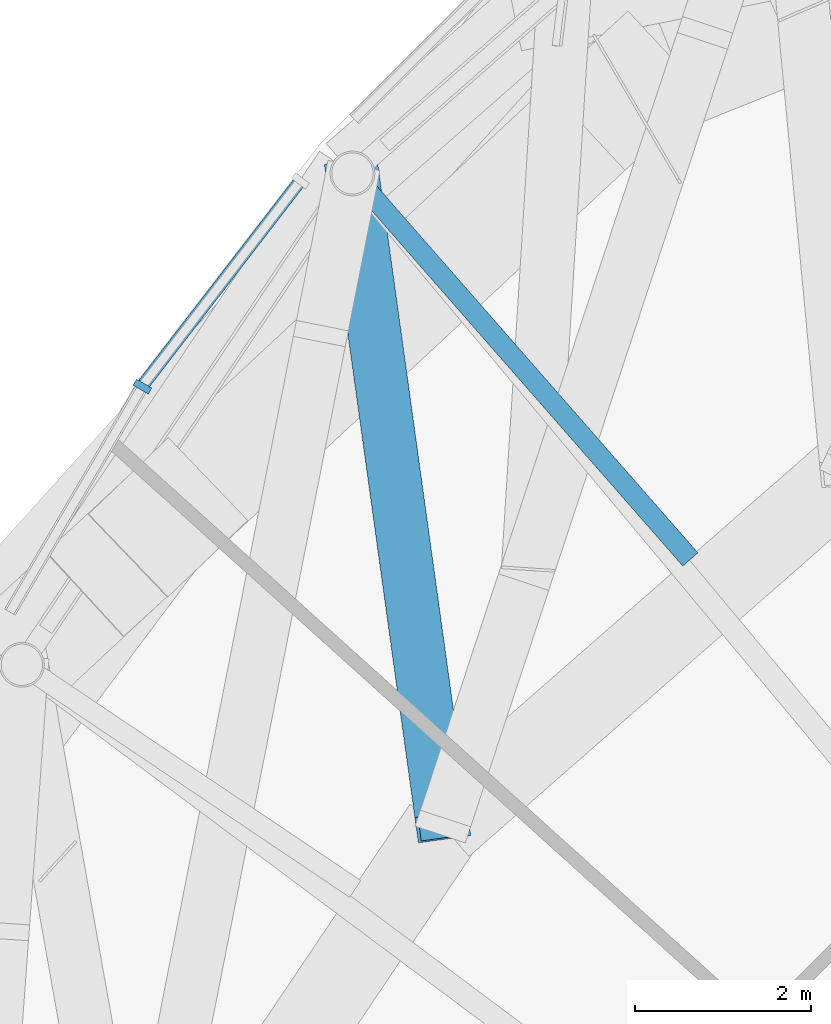
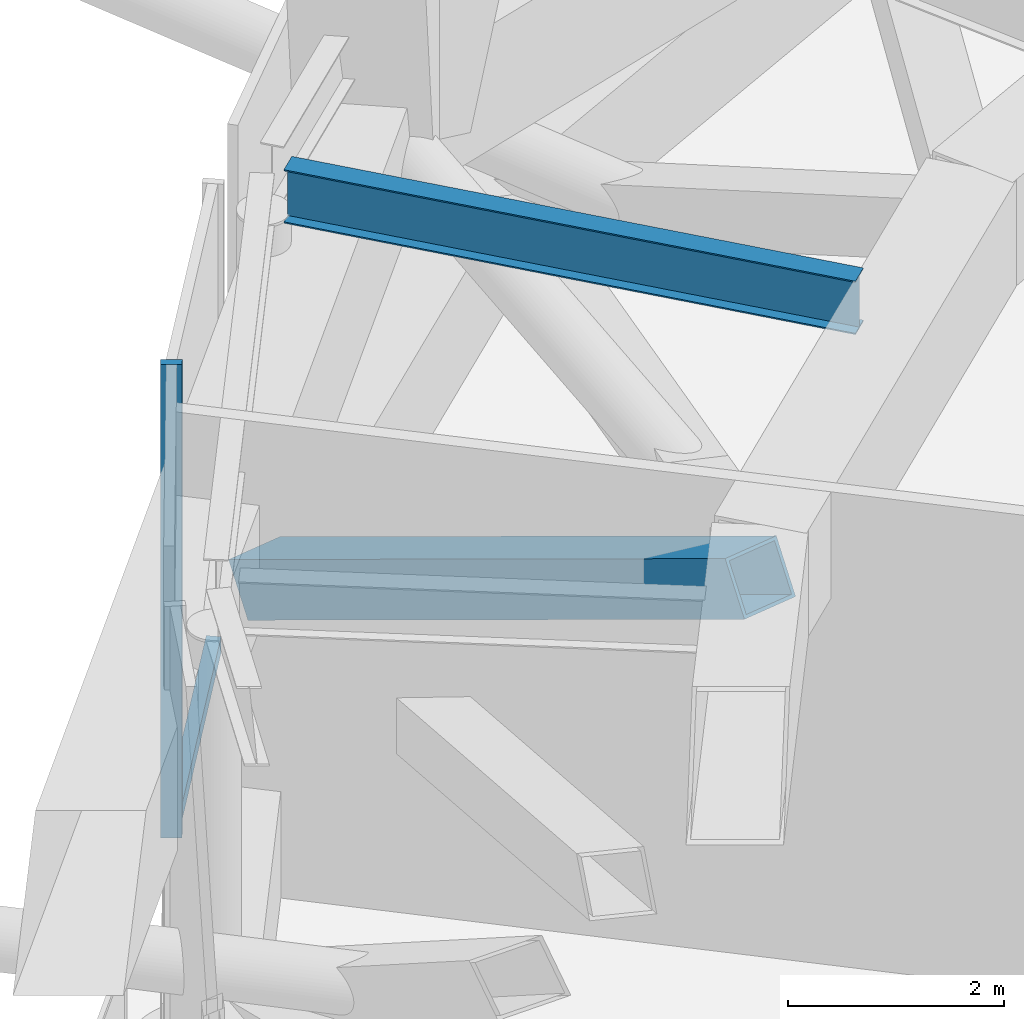
# One storey, part 19 of 48: 2 beams, 2 members, 2 elements without a shape of their own.
"""IFC4 building model written with IfcOpenShell, lengths in metres."""

from ifc_helpers import new_model, si_unit, direction, frame, origin, origin_2d, place, context, subcontext, project, spatial, rectangle, hollow_rectangle, i_section, extrude, material, layer, layer_set, material_profile, profile_set, type_object, element, aggregate, save


model = new_model("IFC4")

# Units and contexts
model_context = context("Model", 3, precision=1e-05, world=origin(), true_north=direction((0.0, 1.0)))
body_context = subcontext(model_context, "Body", "Model", "MODEL_VIEW")
ifc_project = project(units=[si_unit("LENGTHUNIT", "METRE"), si_unit("AREAUNIT", "SQUARE_METRE"), si_unit("VOLUMEUNIT", "CUBIC_METRE"), si_unit("PLANEANGLEUNIT", "RADIAN"), si_unit("MASSUNIT", "GRAM", prefix="KILO")], contexts=[model_context])

# Site, building, storey
site_placement = place(None, origin())
site = spatial("IfcSite", under=ifc_project, at=site_placement, CompositionType="ELEMENT")
building_placement = place(site_placement, origin())
building = spatial("IfcBuilding", under=site, at=building_placement, Name="Nagisa Residences", CompositionType="ELEMENT")
storey_placement = place(building_placement, frame((0.0, 0.0, 252.89990234375)))
storey = spatial("IfcBuildingStorey", under=building, at=storey_placement, Name="L64", CompositionType="ELEMENT", Elevation=252.89990234375)

# Beam
ifc_material_1 = material(Name="Steel ASTM A572 Gr 50", Category="steel")
ifc_material_profile_1 = material_profile(ifc_material_1, hollow_rectangle(XDim=0.60009765625, YDim=0.60009765625, WallThickness=0.034912109375, at=origin_2d()), Name="BX 600x600x35")
ifc_profile_set_1 = profile_set([ifc_material_profile_1], Name="Steel ASTM A572 Gr 50")
beam_type_1 = type_object("IfcBeamType", Name="Belt diagonal 5 BX 600x600x35", PredefinedType="BEAM", material=ifc_profile_set_1)
beam_1_placement = place(storey_placement, frame((-18.466552734375, 22.1318359375, 0.60009765625), z_axis=(0.120028339342, -0.866461719169, 0.484600131005), x_axis=(0.990541055943, 0.137216677165, 0.0)))
element("IfcBeam", 1, at=beam_1_placement, inside=storey, type_object=beam_type_1, Name="beam:L64:bt5da10", PredefinedType="BEAM", context=body_context, shape_type="SweptSolid", body=[
    extrude(hollow_rectangle(XDim=0.60009765625, YDim=0.60009765625, WallThickness=0.034912109375, at=origin_2d()), origin(), (0.0, 0.0, 1.0), 8.54296875),
])

# Curtain wall, member
ifc_material_2 = material(Name="Aluminium curtain wall system", Category="aluminium")
ifc_layer = layer(ifc_material_2, 0.159912109375)
ifc_layer_set = layer_set([ifc_layer], Name="CW2 CURTAIN WALL")
curtain_wall_type = type_object("IfcCurtainWallType", Name="CW2 CURTAIN WALL", PredefinedType="NOTDEFINED", material=ifc_layer_set)
curtain_wall_1_placement = place(storey_placement, origin())
curtain_wall_1 = element("IfcCurtainWall", 2, at=curtain_wall_1_placement, inside=storey, type_object=curtain_wall_type, Name="cw:CW2:L64:19", PredefinedType="NOTDEFINED")
ifc_material_3 = material(Name="Aluminium", Category="aluminium")
ifc_material_profile_2 = material_profile(ifc_material_3, rectangle(XDim=0.199951171875, YDim=0.080078125, at=origin_2d()), Name="CW2 MULLION 200x80")
ifc_profile_set_2 = profile_set([ifc_material_profile_2], Name="Aluminium")
member_type_1 = type_object("IfcMemberType", Name="CW2 MULLION 200x80", PredefinedType="MULLION", material=ifc_profile_set_2)
member_1_placement = place(storey_placement, frame((-20.84716796875, 19.716552734375, 0.0), z_axis=(0.0, 0.0, 1.0), x_axis=(0.862328898214, -0.506348567002, 0.0)))
member_1 = element("IfcMember", 3, at=member_1_placement, type_object=member_type_1, Name="CW2 mullion", PredefinedType="MULLION", context=body_context, shape_type="SweptSolid", body=[
    extrude(rectangle(XDim=0.199951171875, YDim=0.080078125, at=origin_2d()), origin(), (0.0, 0.0, 1.0), 5.340087890625),
])
aggregate(curtain_wall_1, [member_1])

curtain_wall_2_placement = place(storey_placement, origin())
curtain_wall_2 = element("IfcCurtainWall", 4, at=curtain_wall_2_placement, inside=storey, type_object=curtain_wall_type, Name="cw:CW2:L64:18", PredefinedType="NOTDEFINED")
ifc_material_4 = material(Name="Aluminium", Category="aluminium")
ifc_material_profile_3 = material_profile(ifc_material_4, rectangle(XDim=0.139892578125, YDim=0.179931640625, at=origin_2d()), Name="CW2 TRANSOM 140x180")
ifc_profile_set_3 = profile_set([ifc_material_profile_3], Name="Aluminium")
member_type_2 = type_object("IfcMemberType", Name="CW2 TRANSOM 140x180", PredefinedType="USERDEFINED", material=ifc_profile_set_3)
member_2_placement = place(storey_placement, frame((-19.031494140625, 22.080078125, 0.090087890625), z_axis=(-0.610446226822, -0.792057702544, 0.0), x_axis=(0.792057702544, -0.610446226822, 0.0)))
member_2 = element("IfcMember", 5, at=member_2_placement, type_object=member_type_2, Name="CW2 transom", ObjectType="TRANSOM", PredefinedType="USERDEFINED", context=body_context, shape_type="SweptSolid", body=[
    extrude(rectangle(XDim=0.139892578125, YDim=0.179931640625, at=origin_2d()), origin(), (0.0, 0.0, 1.0), 2.95068359375),
])
aggregate(curtain_wall_2, [member_2])

# Beam
ifc_material_5 = material(Name="Steel ASTM A572 Gr 50", Category="steel")
ifc_material_profile_4 = material_profile(ifc_material_5, i_section(OverallWidth=0.22802734375, OverallDepth=0.60302734375, WebThickness=0.010498046875, FlangeThickness=0.014892578125, at=origin_2d()), Name="W610x101")
ifc_profile_set_4 = profile_set([ifc_material_profile_4], Name="Steel ASTM A572 Gr 50")
beam_type_2 = type_object("IfcBeamType", Name="Garden radial beam W610x101", PredefinedType="BEAM", material=ifc_profile_set_4)
beam_2_placement = place(storey_placement, frame((-18.312255859375, 21.955810546875, 5.03857421875), z_axis=(0.658721387342, -0.752386957528, 0.0), x_axis=(0.752386957528, 0.658721387342, 0.0)))
element("IfcBeam", 6, at=beam_2_placement, inside=storey, type_object=beam_type_2, Name="beam:L64:bt5gr10", PredefinedType="BEAM", context=body_context, shape_type="SweptSolid", body=[
    extrude(i_section(OverallWidth=0.22802734375, OverallDepth=0.60302734375, WebThickness=0.010498046875, FlangeThickness=0.014892578125, at=origin_2d()), origin(), (0.0, 0.0, 1.0), 5.58056640625),
])

save(model, "model.ifc")
